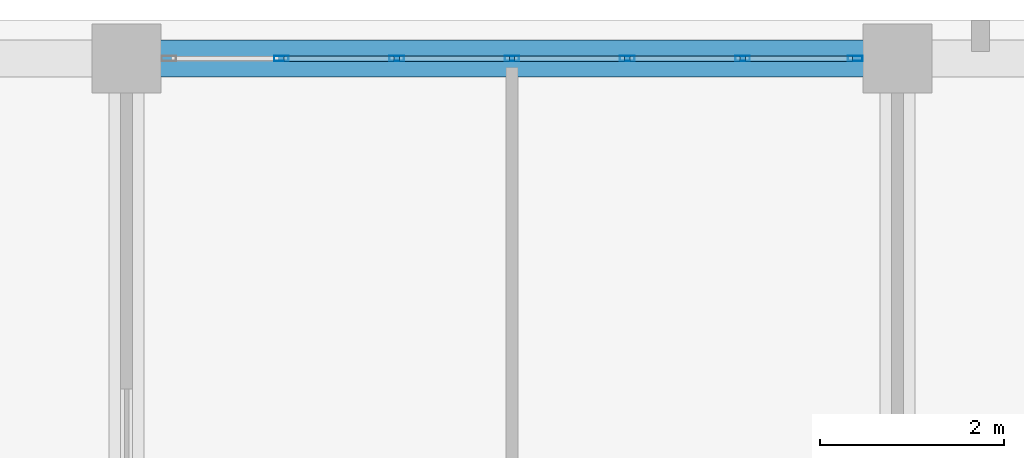
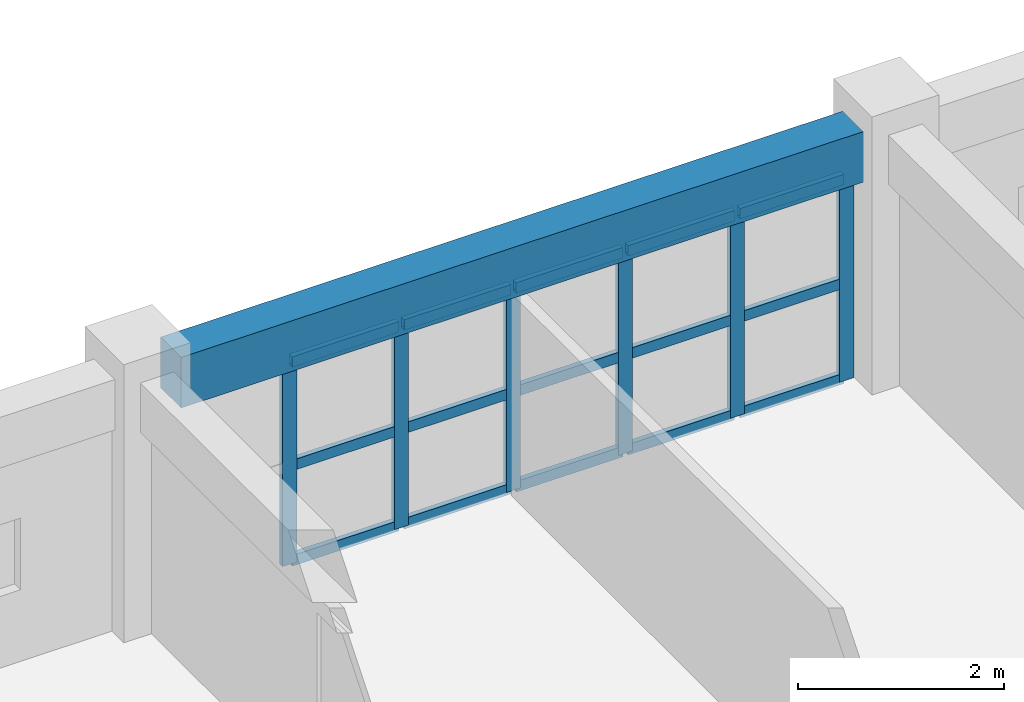
# One storey, part 123 of 200: 21 members, 1 beam, 1 element without a shape of its own.
"""IFC4 building model written with IfcOpenShell, lengths in metres."""

from ifc_helpers import new_model, si_unit, direction, frame, origin, origin_2d, place, context, subcontext, project, spatial, rectangle, hollow_rectangle, extrude, material, layer, layer_set, material_profile, profile_set, type_object, element, aggregate, save


model = new_model("IFC4")

# Units and contexts
model_context = context("Model", 3, precision=1e-05, world=origin(), true_north=direction((0.0, 1.0)))
body_context = subcontext(model_context, "Body", "Model", "MODEL_VIEW")
ifc_project = project(units=[si_unit("LENGTHUNIT", "METRE"), si_unit("AREAUNIT", "SQUARE_METRE"), si_unit("VOLUMEUNIT", "CUBIC_METRE"), si_unit("PLANEANGLEUNIT", "RADIAN"), si_unit("MASSUNIT", "GRAM", prefix="KILO")], contexts=[model_context])

# Site, building, storey
site_placement = place(None, origin())
site = spatial("IfcSite", under=ifc_project, at=site_placement, CompositionType="ELEMENT")
building_placement = place(site_placement, origin())
building = spatial("IfcBuilding", under=site, at=building_placement, Name="Trelvath General Hospital", CompositionType="ELEMENT")
storey_placement = place(building_placement, frame((0.0, 0.0, 4.800048828125)))
storey = spatial("IfcBuildingStorey", under=building, at=storey_placement, Name="L01", CompositionType="ELEMENT", Elevation=4.800048828125)

# Beam
ifc_material_1 = material(Name="Concrete C35/45", Category="concrete")
ifc_material_profile_1 = material_profile(ifc_material_1, rectangle(XDim=0.39990234375, YDim=0.60009765625, at=origin_2d()), Name="RCB400x600")
ifc_profile_set_1 = profile_set([ifc_material_profile_1], Name="Concrete C35/45")
beam_type = type_object("IfcBeamType", Name="Beam RC400x600", PredefinedType="BEAM", material=ifc_profile_set_1)
beam_placement = place(storey_placement, frame((92.77001953125, 117.60009765625, 2.719970703125), z_axis=(1.0, 0.0, 0.0), x_axis=(0.0, 1.0, 0.0)))
element("IfcBeam", 1, at=beam_placement, inside=storey, type_object=beam_type, Name="Grid Beam BX-111O", PredefinedType="BEAM", context=body_context, shape_type="SweptSolid", body=[
    extrude(rectangle(XDim=0.39990234375, YDim=0.60009765625, at=origin_2d()), origin(), (0.0, 0.0, 1.0), 7.659912109375),
])

# Curtain wall, members
ifc_material_2 = material(Name="Anodised aluminium and low-E glass", Category="aluminium")
ifc_layer = layer(ifc_material_2, 0.159912109375)
ifc_layer_set = layer_set([ifc_layer], Name="Anodised aluminium and low-E glass")
curtain_wall_type = type_object("IfcCurtainWallType", Name="CW Facade 754 242 16", PredefinedType="USERDEFINED", material=ifc_layer_set)
curtain_wall_placement = place(storey_placement, origin())
curtain_wall = element("IfcCurtainWall", 2, at=curtain_wall_placement, inside=storey, type_object=curtain_wall_type, Name="Facade Curtain Wall CW-019", ObjectType="Unitised Glazed Curtain Wall", PredefinedType="USERDEFINED")
ifc_material_3 = material(Name="Anodised aluminium", Category="aluminium")
ifc_material_profile_2 = material_profile(ifc_material_3, hollow_rectangle(XDim=0.06005859375, YDim=0.159912109375, WallThickness=0.00390625, at=origin_2d()), Name="RHS60x160x4")
ifc_profile_set_2 = profile_set([ifc_material_profile_2], Name="Anodised aluminium")
member_type_1 = type_object("IfcMemberType", Name="CurtainMullion 60x160", PredefinedType="MULLION", material=ifc_profile_set_2)
member_1_placement = place(storey_placement, frame((94.086669921875, 117.60009765625, 0.0), z_axis=(0.0, 0.0, 1.0), x_axis=(0.0, 1.0, 0.0)))
member_1 = element("IfcMember", 3, at=member_1_placement, type_object=member_type_1, Name="CW-019 mullion 2", PredefinedType="MULLION", context=body_context, shape_type="SweptSolid", body=[
    extrude(hollow_rectangle(XDim=0.06005859375, YDim=0.159912109375, WallThickness=0.00390625, at=origin_2d()), origin(), (0.0, 0.0, 1.0), 2.419921875),
])
member_2_placement = place(storey_placement, frame((95.34326171875, 117.60009765625, 0.0), z_axis=(0.0, 0.0, 1.0), x_axis=(0.0, 1.0, 0.0)))
member_2 = element("IfcMember", 4, at=member_2_placement, type_object=member_type_1, Name="CW-019 mullion 3", PredefinedType="MULLION", context=body_context, shape_type="SweptSolid", body=[
    extrude(hollow_rectangle(XDim=0.06005859375, YDim=0.159912109375, WallThickness=0.00390625, at=origin_2d()), origin(), (0.0, 0.0, 1.0), 2.419921875),
])
member_3_placement = place(storey_placement, frame((96.60009765625, 117.60009765625, 0.0), z_axis=(0.0, 0.0, 1.0), x_axis=(0.0, 1.0, 0.0)))
member_3 = element("IfcMember", 5, at=member_3_placement, type_object=member_type_1, Name="CW-019 mullion 4", PredefinedType="MULLION", context=body_context, shape_type="SweptSolid", body=[
    extrude(hollow_rectangle(XDim=0.06005859375, YDim=0.159912109375, WallThickness=0.00390625, at=origin_2d()), origin(), (0.0, 0.0, 1.0), 2.419921875),
])
member_4_placement = place(storey_placement, frame((97.856689453125, 117.60009765625, 0.0), z_axis=(0.0, 0.0, 1.0), x_axis=(0.0, 1.0, 0.0)))
member_4 = element("IfcMember", 6, at=member_4_placement, type_object=member_type_1, Name="CW-019 mullion 5", PredefinedType="MULLION", context=body_context, shape_type="SweptSolid", body=[
    extrude(hollow_rectangle(XDim=0.06005859375, YDim=0.159912109375, WallThickness=0.00390625, at=origin_2d()), origin(), (0.0, 0.0, 1.0), 2.419921875),
])
member_5_placement = place(storey_placement, frame((99.11328125, 117.60009765625, 0.0), z_axis=(0.0, 0.0, 1.0), x_axis=(0.0, 1.0, 0.0)))
member_5 = element("IfcMember", 7, at=member_5_placement, type_object=member_type_1, Name="CW-019 mullion 6", PredefinedType="MULLION", context=body_context, shape_type="SweptSolid", body=[
    extrude(hollow_rectangle(XDim=0.06005859375, YDim=0.159912109375, WallThickness=0.00390625, at=origin_2d()), origin(), (0.0, 0.0, 1.0), 2.419921875),
])
member_6_placement = place(storey_placement, frame((100.340087890625, 117.60009765625, 0.0), z_axis=(0.0, 0.0, 1.0), x_axis=(0.0, 1.0, 0.0)))
member_6 = element("IfcMember", 8, at=member_6_placement, type_object=member_type_1, Name="CW-019 mullion 7", PredefinedType="MULLION", context=body_context, shape_type="SweptSolid", body=[
    extrude(hollow_rectangle(XDim=0.06005859375, YDim=0.159912109375, WallThickness=0.00390625, at=origin_2d()), origin(), (0.0, 0.0, 1.0), 2.419921875),
])
ifc_material_4 = material(Name="Anodised aluminium", Category="aluminium")
ifc_material_profile_3 = material_profile(ifc_material_4, hollow_rectangle(XDim=0.06005859375, YDim=0.125, WallThickness=0.00390625, at=origin_2d()), Name="RHS60x125x4")
ifc_profile_set_3 = profile_set([ifc_material_profile_3], Name="Anodised aluminium")
member_type_2 = type_object("IfcMemberType", Name="CurtainTransom 60x125", PredefinedType="USERDEFINED", material=ifc_profile_set_3)
member_7_placement = place(storey_placement, frame((94.11669921875, 117.60009765625, 0.030029296875), z_axis=(1.0, 0.0, 0.0), x_axis=(0.0, 1.0, 0.0)))
member_7 = element("IfcMember", 9, at=member_7_placement, type_object=member_type_2, Name="CW-019 transom 2.1", ObjectType="TRANSOM", PredefinedType="USERDEFINED", context=body_context, shape_type="SweptSolid", body=[
    extrude(hollow_rectangle(XDim=0.06005859375, YDim=0.125, WallThickness=0.00390625, at=origin_2d()), origin(), (0.0, 0.0, 1.0), 1.196533203125),
])
member_8_placement = place(storey_placement, frame((94.11669921875, 117.60009765625, 1.161865234375), z_axis=(1.0, 0.0, 0.0), x_axis=(0.0, 1.0, 0.0)))
member_8 = element("IfcMember", 10, at=member_8_placement, type_object=member_type_2, Name="CW-019 transom 2.2", ObjectType="TRANSOM", PredefinedType="USERDEFINED", context=body_context, shape_type="SweptSolid", body=[
    extrude(hollow_rectangle(XDim=0.06005859375, YDim=0.125, WallThickness=0.00390625, at=origin_2d()), origin(), (0.0, 0.0, 1.0), 1.196533203125),
])
member_9_placement = place(storey_placement, frame((94.11669921875, 117.60009765625, 2.389892578125), z_axis=(1.0, 0.0, 0.0), x_axis=(0.0, 1.0, 0.0)))
member_9 = element("IfcMember", 11, at=member_9_placement, type_object=member_type_2, Name="CW-019 transom 2.3", ObjectType="TRANSOM", PredefinedType="USERDEFINED", context=body_context, shape_type="SweptSolid", body=[
    extrude(hollow_rectangle(XDim=0.06005859375, YDim=0.125, WallThickness=0.00390625, at=origin_2d()), origin(), (0.0, 0.0, 1.0), 1.196533203125),
])
member_10_placement = place(storey_placement, frame((95.373291015625, 117.60009765625, 0.030029296875), z_axis=(1.0, 0.0, 0.0), x_axis=(0.0, 1.0, 0.0)))
member_10 = element("IfcMember", 12, at=member_10_placement, type_object=member_type_2, Name="CW-019 transom 3.1", ObjectType="TRANSOM", PredefinedType="USERDEFINED", context=body_context, shape_type="SweptSolid", body=[
    extrude(hollow_rectangle(XDim=0.06005859375, YDim=0.125, WallThickness=0.00390625, at=origin_2d()), origin(), (0.0, 0.0, 1.0), 1.19677734375),
])
member_11_placement = place(storey_placement, frame((95.373291015625, 117.60009765625, 1.161865234375), z_axis=(1.0, 0.0, 0.0), x_axis=(0.0, 1.0, 0.0)))
member_11 = element("IfcMember", 13, at=member_11_placement, type_object=member_type_2, Name="CW-019 transom 3.2", ObjectType="TRANSOM", PredefinedType="USERDEFINED", context=body_context, shape_type="SweptSolid", body=[
    extrude(hollow_rectangle(XDim=0.06005859375, YDim=0.125, WallThickness=0.00390625, at=origin_2d()), origin(), (0.0, 0.0, 1.0), 1.19677734375),
])
member_12_placement = place(storey_placement, frame((95.373291015625, 117.60009765625, 2.389892578125), z_axis=(1.0, 0.0, 0.0), x_axis=(0.0, 1.0, 0.0)))
member_12 = element("IfcMember", 14, at=member_12_placement, type_object=member_type_2, Name="CW-019 transom 3.3", ObjectType="TRANSOM", PredefinedType="USERDEFINED", context=body_context, shape_type="SweptSolid", body=[
    extrude(hollow_rectangle(XDim=0.06005859375, YDim=0.125, WallThickness=0.00390625, at=origin_2d()), origin(), (0.0, 0.0, 1.0), 1.19677734375),
])
member_13_placement = place(storey_placement, frame((96.6298828125, 117.60009765625, 0.030029296875), z_axis=(1.0, 0.0, 0.0), x_axis=(0.0, 1.0, 0.0)))
member_13 = element("IfcMember", 15, at=member_13_placement, type_object=member_type_2, Name="CW-019 transom 4.1", ObjectType="TRANSOM", PredefinedType="USERDEFINED", context=body_context, shape_type="SweptSolid", body=[
    extrude(hollow_rectangle(XDim=0.06005859375, YDim=0.125, WallThickness=0.00390625, at=origin_2d()), origin(), (0.0, 0.0, 1.0), 1.19677734375),
])
member_14_placement = place(storey_placement, frame((96.6298828125, 117.60009765625, 1.161865234375), z_axis=(1.0, 0.0, 0.0), x_axis=(0.0, 1.0, 0.0)))
member_14 = element("IfcMember", 16, at=member_14_placement, type_object=member_type_2, Name="CW-019 transom 4.2", ObjectType="TRANSOM", PredefinedType="USERDEFINED", context=body_context, shape_type="SweptSolid", body=[
    extrude(hollow_rectangle(XDim=0.06005859375, YDim=0.125, WallThickness=0.00390625, at=origin_2d()), origin(), (0.0, 0.0, 1.0), 1.19677734375),
])
member_15_placement = place(storey_placement, frame((96.6298828125, 117.60009765625, 2.389892578125), z_axis=(1.0, 0.0, 0.0), x_axis=(0.0, 1.0, 0.0)))
member_15 = element("IfcMember", 17, at=member_15_placement, type_object=member_type_2, Name="CW-019 transom 4.3", ObjectType="TRANSOM", PredefinedType="USERDEFINED", context=body_context, shape_type="SweptSolid", body=[
    extrude(hollow_rectangle(XDim=0.06005859375, YDim=0.125, WallThickness=0.00390625, at=origin_2d()), origin(), (0.0, 0.0, 1.0), 1.19677734375),
])
member_16_placement = place(storey_placement, frame((97.88671875, 117.60009765625, 0.030029296875), z_axis=(1.0, 0.0, 0.0), x_axis=(0.0, 1.0, 0.0)))
member_16 = element("IfcMember", 18, at=member_16_placement, type_object=member_type_2, Name="CW-019 transom 5.1", ObjectType="TRANSOM", PredefinedType="USERDEFINED", context=body_context, shape_type="SweptSolid", body=[
    extrude(hollow_rectangle(XDim=0.06005859375, YDim=0.125, WallThickness=0.00390625, at=origin_2d()), origin(), (0.0, 0.0, 1.0), 1.196533203125),
])
member_17_placement = place(storey_placement, frame((97.88671875, 117.60009765625, 1.161865234375), z_axis=(1.0, 0.0, 0.0), x_axis=(0.0, 1.0, 0.0)))
member_17 = element("IfcMember", 19, at=member_17_placement, type_object=member_type_2, Name="CW-019 transom 5.2", ObjectType="TRANSOM", PredefinedType="USERDEFINED", context=body_context, shape_type="SweptSolid", body=[
    extrude(hollow_rectangle(XDim=0.06005859375, YDim=0.125, WallThickness=0.00390625, at=origin_2d()), origin(), (0.0, 0.0, 1.0), 1.196533203125),
])
member_18_placement = place(storey_placement, frame((97.88671875, 117.60009765625, 2.389892578125), z_axis=(1.0, 0.0, 0.0), x_axis=(0.0, 1.0, 0.0)))
member_18 = element("IfcMember", 20, at=member_18_placement, type_object=member_type_2, Name="CW-019 transom 5.3", ObjectType="TRANSOM", PredefinedType="USERDEFINED", context=body_context, shape_type="SweptSolid", body=[
    extrude(hollow_rectangle(XDim=0.06005859375, YDim=0.125, WallThickness=0.00390625, at=origin_2d()), origin(), (0.0, 0.0, 1.0), 1.196533203125),
])
member_19_placement = place(storey_placement, frame((99.143310546875, 117.60009765625, 0.030029296875), z_axis=(1.0, 0.0, 0.0), x_axis=(0.0, 1.0, 0.0)))
member_19 = element("IfcMember", 21, at=member_19_placement, type_object=member_type_2, Name="CW-019 transom 6.1", ObjectType="TRANSOM", PredefinedType="USERDEFINED", context=body_context, shape_type="SweptSolid", body=[
    extrude(hollow_rectangle(XDim=0.06005859375, YDim=0.125, WallThickness=0.00390625, at=origin_2d()), origin(), (0.0, 0.0, 1.0), 1.166748046875),
])
member_20_placement = place(storey_placement, frame((99.143310546875, 117.60009765625, 1.161865234375), z_axis=(1.0, 0.0, 0.0), x_axis=(0.0, 1.0, 0.0)))
member_20 = element("IfcMember", 22, at=member_20_placement, type_object=member_type_2, Name="CW-019 transom 6.2", ObjectType="TRANSOM", PredefinedType="USERDEFINED", context=body_context, shape_type="SweptSolid", body=[
    extrude(hollow_rectangle(XDim=0.06005859375, YDim=0.125, WallThickness=0.00390625, at=origin_2d()), origin(), (0.0, 0.0, 1.0), 1.166748046875),
])
member_21_placement = place(storey_placement, frame((99.143310546875, 117.60009765625, 2.389892578125), z_axis=(1.0, 0.0, 0.0), x_axis=(0.0, 1.0, 0.0)))
member_21 = element("IfcMember", 23, at=member_21_placement, type_object=member_type_2, Name="CW-019 transom 6.3", ObjectType="TRANSOM", PredefinedType="USERDEFINED", context=body_context, shape_type="SweptSolid", body=[
    extrude(hollow_rectangle(XDim=0.06005859375, YDim=0.125, WallThickness=0.00390625, at=origin_2d()), origin(), (0.0, 0.0, 1.0), 1.166748046875),
])
aggregate(curtain_wall, [member_1, member_2, member_3, member_4, member_5, member_6, member_7, member_8, member_9, member_10, member_11, member_12, member_13, member_14, member_15, member_16, member_17, member_18, member_19, member_20, member_21])

save(model, "model.ifc")
